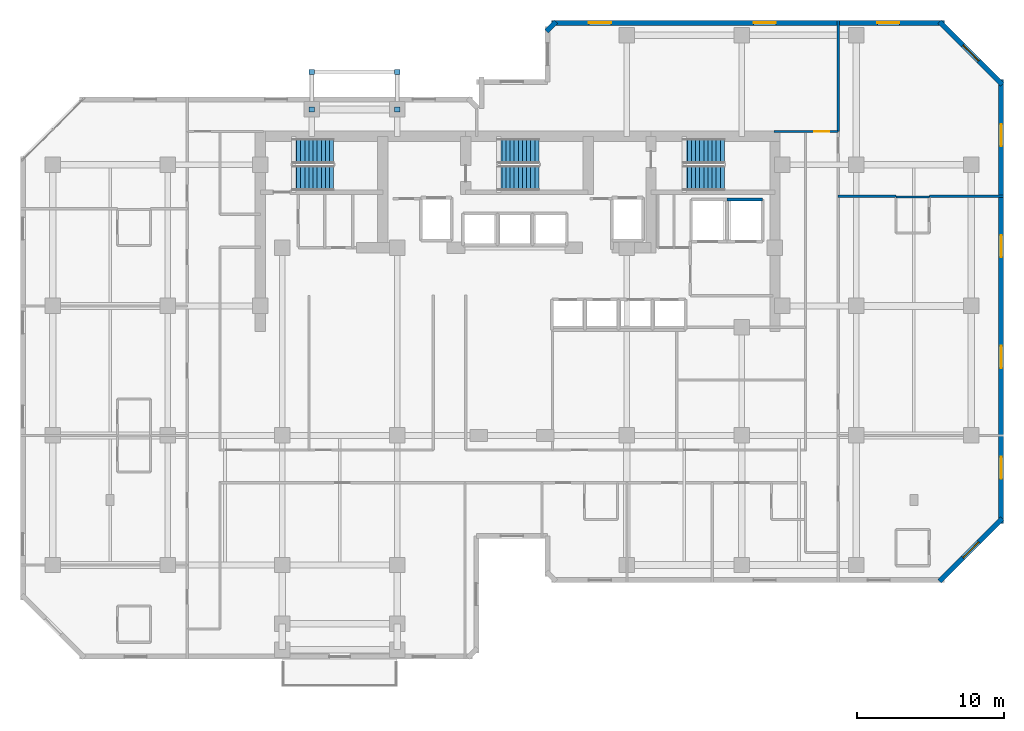
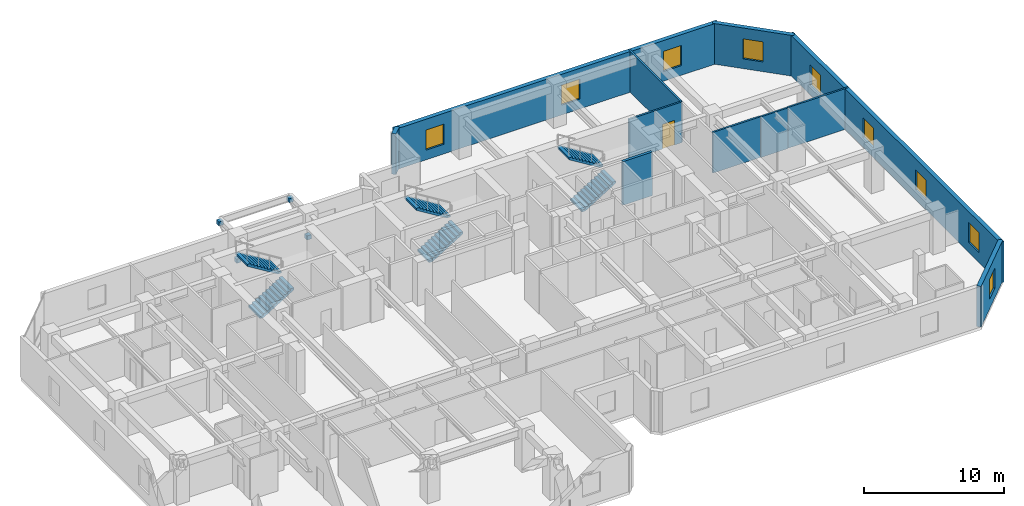
# One storey, part 8 of 10: 11 walls, 9 windows, 6 stair flights, 4 discrete accessories, 1 door, 10 openings, 3 elements without a shape of their own.
"""IFC4 building model written with IfcOpenShell, lengths in metres."""

from ifc_helpers import new_model, si_unit, direction, frame, frame_2d, origin, origin_2d, place, context, subcontext, project, spatial, polyline, rectangle, outline, extrude, material, layer, layer_set, type_object, element, fill, aggregate, save


model = new_model("IFC4")

# Units and contexts
model_context = context("Model", 3, precision=1e-05, world=origin(), true_north=direction((0.0, 1.0)))
body_context = subcontext(model_context, "Body", "Model", "MODEL_VIEW")
ifc_project = project(units=[si_unit("LENGTHUNIT", "METRE"), si_unit("AREAUNIT", "SQUARE_METRE"), si_unit("VOLUMEUNIT", "CUBIC_METRE"), si_unit("PLANEANGLEUNIT", "RADIAN"), si_unit("MASSUNIT", "GRAM", prefix="KILO")], contexts=[model_context])

# Site, building, storey
site_placement = place(None, origin())
site = spatial("IfcSite", under=ifc_project, at=site_placement, CompositionType="ELEMENT")
building_placement = place(site_placement, origin())
building = spatial("IfcBuilding", under=site, at=building_placement, Name="Kestravale Grand Hotel", CompositionType="ELEMENT")
storey_placement = place(building_placement, frame((0.0, 0.0, 138.39990234375)))
storey = spatial("IfcBuildingStorey", under=building, at=storey_placement, Name="L34", CompositionType="ELEMENT", Elevation=138.39990234375)

# Wall, opening, window
ifc_material_1 = material(Name="Precast concrete f'c 45 MPa", Category="concrete")
ifc_layer_1 = layer(ifc_material_1, 0.340087890625)
ifc_layer_set_1 = layer_set([ifc_layer_1], Name="EW-PREC-340")
wall_type_1 = type_object("IfcWallType", Name="EW-PREC-340", PredefinedType="SOLIDWALL", material=ifc_layer_set_1)
wall_1_placement = place(storey_placement, frame((68.051513671875, 10.091796875, 0.0), z_axis=(0.0, 0.0, 1.0), x_axis=(0.707106781187, 0.707106781187, 0.0)))
wall_1 = element("IfcWall", 1, at=wall_1_placement, inside=storey, type_object=wall_type_1, Name="L34 fluted precast facade wall 8", PredefinedType="SOLIDWALL", context=body_context, shape_type="SweptSolid", body=[
    extrude(rectangle(XDim=6.019775390625, YDim=0.340087890625, at=frame_2d((3.009765625, 0.0))), origin(), (0.0, 0.0, 1.0), 3.550048828125),
])
opening_1_placement = place(wall_1_placement, frame((2.260009765625, 0.0, 0.85009765625)))
opening_1 = element("IfcOpeningElement", 2, at=opening_1_placement, cuts=wall_1, Name="Opening W-GUEST-1500", PredefinedType="OPENING", context=body_context, shape_type="SweptSolid", body=[
    extrude(rectangle(XDim=1.5, YDim=1.75, at=frame_2d((0.75, 0.875))), frame((0.0, 0.179931640625, 0.0), z_axis=(0.0, -1.0, 0.0), x_axis=(1.0, 0.0, 0.0)), (0.0, 0.0, 1.0), 0.360107421875),
])
ifc_material_2 = material(Name="Insulated low-E double glazing in aluminium frame", Category="aluminium")
window_type = type_object("IfcWindowType", Name="W-GUEST-1500", PartitioningType="SINGLE_PANEL", PredefinedType="WINDOW", material=ifc_material_2)
window_1_placement = place(opening_1_placement, origin())
window_1 = element("IfcWindow", 3, at=window_1_placement, inside=storey, type_object=window_type, Name="L34 exterior window 8.1", OverallHeight=1.75, OverallWidth=1.5, PartitioningType="SINGLE_PANEL", PredefinedType="WINDOW", context=body_context, shape_type="SweptSolid", body=[
    extrude(rectangle(XDim=1.5, YDim=1.75, at=frame_2d((0.75, 0.875))), frame((0.0, 0.030029296875, 0.0), z_axis=(0.0, -1.0, 0.0), x_axis=(1.0, 0.0, 0.0)), (0.0, 0.0, 1.0), 0.06005859375),
])
fill(opening_1, window_1)

# Wall, openings, windows
wall_2_placement = place(storey_placement, frame((72.22998046875, 14.030029296875, 0.0), z_axis=(0.0, 0.0, 1.0), x_axis=(0.0, 1.0, 0.0)))
wall_2 = element("IfcWall", 4, at=wall_2_placement, inside=storey, type_object=wall_type_1, Name="L34 fluted precast facade wall 9", PredefinedType="SOLIDWALL", context=body_context, shape_type="SweptSolid", body=[
    extrude(rectangle(XDim=30.139892578125, YDim=0.340087890625, at=frame_2d((15.06982421875, 0.0))), origin(), (0.0, 0.0, 1.0), 3.550048828125),
])
opening_2_placement = place(wall_2_placement, frame((3.017578125, 0.0, 0.85009765625)))
opening_2 = element("IfcOpeningElement", 5, at=opening_2_placement, cuts=wall_2, Name="Opening W-GUEST-1500", PredefinedType="OPENING", context=body_context, shape_type="SweptSolid", body=[
    extrude(rectangle(XDim=1.5, YDim=1.75, at=frame_2d((0.75, 0.875))), frame((0.0, 0.179931640625, 0.0), z_axis=(0.0, -1.0, 0.0), x_axis=(1.0, 0.0, 0.0)), (0.0, 0.0, 1.0), 0.360107421875),
])
opening_3_placement = place(wall_2_placement, frame((10.552490234375, 0.0, 0.85009765625)))
opening_3 = element("IfcOpeningElement", 6, at=opening_3_placement, cuts=wall_2, Name="Opening W-GUEST-1500", PredefinedType="OPENING", context=body_context, shape_type="SweptSolid", body=[
    extrude(rectangle(XDim=1.5, YDim=1.75, at=frame_2d((0.75, 0.875))), frame((0.0, 0.179931640625, 0.0), z_axis=(0.0, -1.0, 0.0), x_axis=(1.0, 0.0, 0.0)), (0.0, 0.0, 1.0), 0.360107421875),
])
opening_4_placement = place(wall_2_placement, frame((18.08740234375, 0.0, 0.85009765625)))
opening_4 = element("IfcOpeningElement", 7, at=opening_4_placement, cuts=wall_2, Name="Opening W-GUEST-1500", PredefinedType="OPENING", context=body_context, shape_type="SweptSolid", body=[
    extrude(rectangle(XDim=1.5, YDim=1.75, at=frame_2d((0.75, 0.875))), frame((0.0, 0.179931640625, 0.0), z_axis=(0.0, -1.0, 0.0), x_axis=(1.0, 0.0, 0.0)), (0.0, 0.0, 1.0), 0.360107421875),
])
opening_5_placement = place(wall_2_placement, frame((25.62255859375, 0.0, 0.85009765625)))
opening_5 = element("IfcOpeningElement", 8, at=opening_5_placement, cuts=wall_2, Name="Opening W-GUEST-1500", PredefinedType="OPENING", context=body_context, shape_type="SweptSolid", body=[
    extrude(rectangle(XDim=1.5, YDim=1.75, at=frame_2d((0.75, 0.875))), frame((0.0, 0.179931640625, 0.0), z_axis=(0.0, -1.0, 0.0), x_axis=(1.0, 0.0, 0.0)), (0.0, 0.0, 1.0), 0.360107421875),
])
window_2_placement = place(opening_2_placement, origin())
window_2 = element("IfcWindow", 9, at=window_2_placement, inside=storey, type_object=window_type, Name="L34 exterior window 9.1", OverallHeight=1.75, OverallWidth=1.5, PartitioningType="SINGLE_PANEL", PredefinedType="WINDOW", context=body_context, shape_type="SweptSolid", body=[
    extrude(rectangle(XDim=1.5, YDim=1.75, at=frame_2d((0.75, 0.875))), frame((0.0, 0.030029296875, 0.0), z_axis=(0.0, -1.0, 0.0), x_axis=(1.0, 0.0, 0.0)), (0.0, 0.0, 1.0), 0.06005859375),
])
fill(opening_2, window_2)
window_3_placement = place(opening_3_placement, origin())
window_3 = element("IfcWindow", 10, at=window_3_placement, inside=storey, type_object=window_type, Name="L34 exterior window 9.2", OverallHeight=1.75, OverallWidth=1.5, PartitioningType="SINGLE_PANEL", PredefinedType="WINDOW", context=body_context, shape_type="SweptSolid", body=[
    extrude(rectangle(XDim=1.5, YDim=1.75, at=frame_2d((0.75, 0.875))), frame((0.0, 0.030029296875, 0.0), z_axis=(0.0, -1.0, 0.0), x_axis=(1.0, 0.0, 0.0)), (0.0, 0.0, 1.0), 0.06005859375),
])
fill(opening_3, window_3)
window_4_placement = place(opening_4_placement, origin())
window_4 = element("IfcWindow", 11, at=window_4_placement, inside=storey, type_object=window_type, Name="L34 exterior window 9.3", OverallHeight=1.75, OverallWidth=1.5, PartitioningType="SINGLE_PANEL", PredefinedType="WINDOW", context=body_context, shape_type="SweptSolid", body=[
    extrude(rectangle(XDim=1.5, YDim=1.75, at=frame_2d((0.75, 0.875))), frame((0.0, 0.030029296875, 0.0), z_axis=(0.0, -1.0, 0.0), x_axis=(1.0, 0.0, 0.0)), (0.0, 0.0, 1.0), 0.06005859375),
])
fill(opening_4, window_4)
window_5_placement = place(opening_5_placement, origin())
window_5 = element("IfcWindow", 12, at=window_5_placement, inside=storey, type_object=window_type, Name="L34 exterior window 9.4", OverallHeight=1.75, OverallWidth=1.5, PartitioningType="SINGLE_PANEL", PredefinedType="WINDOW", context=body_context, shape_type="SweptSolid", body=[
    extrude(rectangle(XDim=1.5, YDim=1.75, at=frame_2d((0.75, 0.875))), frame((0.0, 0.030029296875, 0.0), z_axis=(0.0, -1.0, 0.0), x_axis=(1.0, 0.0, 0.0)), (0.0, 0.0, 1.0), 0.06005859375),
])
fill(opening_5, window_5)

# Wall, opening, window
wall_3_placement = place(storey_placement, frame((72.30810546875, 43.8515625, 0.0), z_axis=(0.0, 0.0, 1.0), x_axis=(-0.707106781187, 0.707106781187, 0.0)))
wall_3 = element("IfcWall", 13, at=wall_3_placement, inside=storey, type_object=wall_type_1, Name="L34 fluted precast facade wall 10", PredefinedType="SOLIDWALL", context=body_context, shape_type="SweptSolid", body=[
    extrude(rectangle(XDim=6.019775390625, YDim=0.340087890625, at=frame_2d((3.009765625, 0.0))), origin(), (0.0, 0.0, 1.0), 3.550048828125),
])
opening_6_placement = place(wall_3_placement, frame((2.260009765625, 0.0, 0.85009765625)))
opening_6 = element("IfcOpeningElement", 14, at=opening_6_placement, cuts=wall_3, Name="Opening W-GUEST-1500", PredefinedType="OPENING", context=body_context, shape_type="SweptSolid", body=[
    extrude(rectangle(XDim=1.5, YDim=1.75, at=frame_2d((0.75, 0.875))), frame((0.0, 0.179931640625, 0.0), z_axis=(0.0, -1.0, 0.0), x_axis=(1.0, 0.0, 0.0)), (0.0, 0.0, 1.0), 0.360107421875),
])
window_6_placement = place(opening_6_placement, origin())
window_6 = element("IfcWindow", 15, at=window_6_placement, inside=storey, type_object=window_type, Name="L34 exterior window 10.1", OverallHeight=1.75, OverallWidth=1.5, PartitioningType="SINGLE_PANEL", PredefinedType="WINDOW", context=body_context, shape_type="SweptSolid", body=[
    extrude(rectangle(XDim=1.5, YDim=1.75, at=frame_2d((0.75, 0.875))), frame((0.0, 0.030029296875, 0.0), z_axis=(0.0, -1.0, 0.0), x_axis=(1.0, 0.0, 0.0)), (0.0, 0.0, 1.0), 0.06005859375),
])
fill(opening_6, window_6)

# Wall, openings, windows
wall_4_placement = place(storey_placement, frame((68.3701171875, 48.030029296875, 0.0), z_axis=(0.0, 0.0, 1.0), x_axis=(-1.0, 0.0, 0.0)))
wall_4 = element("IfcWall", 16, at=wall_4_placement, inside=storey, type_object=wall_type_1, Name="L34 fluted precast facade wall 11", PredefinedType="SOLIDWALL", context=body_context, shape_type="SweptSolid", body=[
    extrude(rectangle(XDim=26.690185546875, YDim=0.340087890625, at=frame_2d((13.34521484375, 0.0))), origin(), (0.0, 0.0, 1.0), 3.550048828125),
])
opening_7_placement = place(wall_4_placement, frame((3.04833984375, 0.0, 0.85009765625)))
opening_7 = element("IfcOpeningElement", 17, at=opening_7_placement, cuts=wall_4, Name="Opening W-GUEST-1500", PredefinedType="OPENING", context=body_context, shape_type="SweptSolid", body=[
    extrude(rectangle(XDim=1.5, YDim=1.75, at=frame_2d((0.75, 0.875))), frame((0.0, 0.179931640625, 0.0), z_axis=(0.0, -1.0, 0.0), x_axis=(1.0, 0.0, 0.0)), (0.0, 0.0, 1.0), 0.360107421875),
])
opening_8_placement = place(wall_4_placement, frame((11.445068359375, 0.0, 0.85009765625)))
opening_8 = element("IfcOpeningElement", 18, at=opening_8_placement, cuts=wall_4, Name="Opening W-GUEST-1500", PredefinedType="OPENING", context=body_context, shape_type="SweptSolid", body=[
    extrude(rectangle(XDim=1.5, YDim=1.75, at=frame_2d((0.75, 0.875))), frame((0.0, 0.179931640625, 0.0), z_axis=(0.0, -1.0, 0.0), x_axis=(1.0, 0.0, 0.0)), (0.0, 0.0, 1.0), 0.360107421875),
])
opening_9_placement = place(wall_4_placement, frame((22.6416015625, 0.0, 0.85009765625)))
opening_9 = element("IfcOpeningElement", 19, at=opening_9_placement, cuts=wall_4, Name="Opening W-GUEST-1500", PredefinedType="OPENING", context=body_context, shape_type="SweptSolid", body=[
    extrude(rectangle(XDim=1.5, YDim=1.75, at=frame_2d((0.75, 0.875))), frame((0.0, 0.179931640625, 0.0), z_axis=(0.0, -1.0, 0.0), x_axis=(1.0, 0.0, 0.0)), (0.0, 0.0, 1.0), 0.360107421875),
])
window_7_placement = place(opening_7_placement, origin())
window_7 = element("IfcWindow", 20, at=window_7_placement, inside=storey, type_object=window_type, Name="L34 exterior window 11.1", OverallHeight=1.75, OverallWidth=1.5, PartitioningType="SINGLE_PANEL", PredefinedType="WINDOW", context=body_context, shape_type="SweptSolid", body=[
    extrude(rectangle(XDim=1.5, YDim=1.75, at=frame_2d((0.75, 0.875))), frame((0.0, 0.030029296875, 0.0), z_axis=(0.0, -1.0, 0.0), x_axis=(1.0, 0.0, 0.0)), (0.0, 0.0, 1.0), 0.06005859375),
])
fill(opening_7, window_7)
window_8_placement = place(opening_8_placement, origin())
window_8 = element("IfcWindow", 21, at=window_8_placement, inside=storey, type_object=window_type, Name="L34 exterior window 11.2", OverallHeight=1.75, OverallWidth=1.5, PartitioningType="SINGLE_PANEL", PredefinedType="WINDOW", context=body_context, shape_type="SweptSolid", body=[
    extrude(rectangle(XDim=1.5, YDim=1.75, at=frame_2d((0.75, 0.875))), frame((0.0, 0.030029296875, 0.0), z_axis=(0.0, -1.0, 0.0), x_axis=(1.0, 0.0, 0.0)), (0.0, 0.0, 1.0), 0.06005859375),
])
fill(opening_8, window_8)
window_9_placement = place(opening_9_placement, origin())
window_9 = element("IfcWindow", 22, at=window_9_placement, inside=storey, type_object=window_type, Name="L34 exterior window 11.3", OverallHeight=1.75, OverallWidth=1.5, PartitioningType="SINGLE_PANEL", PredefinedType="WINDOW", context=body_context, shape_type="SweptSolid", body=[
    extrude(rectangle(XDim=1.5, YDim=1.75, at=frame_2d((0.75, 0.875))), frame((0.0, 0.030029296875, 0.0), z_axis=(0.0, -1.0, 0.0), x_axis=(1.0, 0.0, 0.0)), (0.0, 0.0, 1.0), 0.06005859375),
])
fill(opening_9, window_9)

# Walls
wall_5_placement = place(storey_placement, frame((41.99853515625, 48.108154296875, 0.0), z_axis=(0.0, 0.0, 1.0), x_axis=(-0.707106781187, -0.707106781187, 0.0)))
element("IfcWall", 23, at=wall_5_placement, inside=storey, type_object=wall_type_1, Name="L34 fluted precast facade wall 12", PredefinedType="SOLIDWALL", context=body_context, shape_type="SweptSolid", body=[
    extrude(rectangle(XDim=0.9287109375, YDim=0.340087890625, at=frame_2d((0.46435546875, 0.0))), origin(), (0.0, 0.0, 1.0), 3.550048828125),
])
ifc_material_3 = material(Name="Moisture-resistant tile-backer plumbing chase wall", Category="other")
ifc_layer_2 = layer(ifc_material_3, 0.139892578125)
ifc_layer_set_2 = layer_set([ifc_layer_2], Name="IW-PLB-140")
wall_type_2 = type_object("IfcWallType", Name="IW-PLB-140", PredefinedType="PLUMBINGWALL", material=ifc_layer_set_2)
wall_6_placement = place(storey_placement, frame((65.10009765625, 36.2099609375, 0.0), z_axis=(0.0, 0.0, 1.0), x_axis=(1.0, 0.0, 0.0)))
element("IfcWall", 24, at=wall_6_placement, inside=storey, type_object=wall_type_2, Name="W-L34-U08-BN", PredefinedType="PLUMBINGWALL", context=body_context, shape_type="SweptSolid", body=[
    extrude(rectangle(XDim=2.25, YDim=0.139892578125, at=frame_2d((1.125, 0.0))), origin(), (0.0, 0.0, 1.0), 3.550048828125),
])
ifc_material_4 = material(Name="Concrete f'c 45 MPa", Category="concrete")
ifc_layer_3 = layer(ifc_material_4, 0.219970703125)
ifc_layer_set_3 = layer_set([ifc_layer_3], Name="IW-SHAFT-220")
wall_type_3 = type_object("IfcWallType", Name="IW-SHAFT-220", PredefinedType="SHEAR", material=ifc_layer_set_3)
wall_7_placement = place(storey_placement, frame((53.60009765625, 36.030029296875, 0.0), z_axis=(0.0, 0.0, 1.0), x_axis=(1.0, 0.0, 0.0)))
element("IfcWall", 25, at=wall_7_placement, inside=storey, type_object=wall_type_3, Name="L34 SL-2 north shaft wall", PredefinedType="SHEAR", context=body_context, shape_type="SweptSolid", body=[
    extrude(rectangle(XDim=2.419921875, YDim=0.219970703125, at=frame_2d((1.2099609375, 0.0))), origin(), (0.0, 0.0, 1.0), 3.800048828125),
])

# Wall, opening, door
ifc_material_5 = material(Name="Double-stud STC 52 acoustic demising partition", Category="other")
ifc_layer_4 = layer(ifc_material_5, 0.14990234375)
ifc_layer_set_4 = layer_set([ifc_layer_4], Name="IW-UNIT-150")
wall_type_4 = type_object("IfcWallType", Name="IW-UNIT-150", PredefinedType="PARTITIONING", material=ifc_layer_set_4)
wall_8_placement = place(storey_placement, frame((56.800048828125, 40.64990234375, 0.0), z_axis=(0.0, 0.0, 1.0), x_axis=(1.0, 0.0, 0.0)))
wall_8 = element("IfcWall", 26, at=wall_8_placement, inside=storey, type_object=wall_type_4, Name="W-L34-SE-N", PredefinedType="PARTITIONING", context=body_context, shape_type="SweptSolid", body=[
    extrude(rectangle(XDim=4.35986328125, YDim=0.14990234375, at=frame_2d((2.179931640625, 0.0))), origin(), (0.0, 0.0, 1.0), 3.550048828125),
])
opening_10_placement = place(wall_8_placement, frame((2.75, 0.0, 0.0)))
opening_10 = element("IfcOpeningElement", 27, at=opening_10_placement, cuts=wall_8, Name="Opening D-GUEST-1000", PredefinedType="OPENING", context=body_context, shape_type="SweptSolid", body=[
    extrude(rectangle(XDim=1.0, YDim=2.14990234375, at=frame_2d((0.5, 1.074951171875))), frame((0.0, 0.0849609375, 0.0), z_axis=(0.0, -1.0, 0.0), x_axis=(1.0, 0.0, 0.0)), (0.0, 0.0, 1.0), 0.169921875),
])
ifc_material_6 = material(Name="Accessible walnut veneer hotel entrance fire door", Category="wood")
door_type = type_object("IfcDoorType", Name="D-GUEST-1000", OperationType="NOTDEFINED", PredefinedType="DOOR", material=ifc_material_6)
door_placement = place(opening_10_placement, origin())
door = element("IfcDoor", 28, at=door_placement, inside=storey, type_object=door_type, Name="L34 NE Gallery Door", OperationType="SINGLE_SWING_LEFT", OverallHeight=2.14990234375, OverallWidth=1.0, PredefinedType="DOOR", context=body_context, shape_type="SweptSolid", body=[
    extrude(rectangle(XDim=1.0, YDim=2.14990234375, at=frame_2d((0.5, 1.074951171875))), frame((0.0, 0.02490234375, 0.0), z_axis=(0.0, -1.0, 0.0), x_axis=(1.0, 0.0, 0.0)), (0.0, 0.0, 1.0), 0.050048828125),
])
fill(opening_10, door)

# Walls
wall_9_placement = place(storey_placement, frame((61.159912109375, 40.64990234375, 0.0), z_axis=(0.0, 0.0, 1.0), x_axis=(0.0, 1.0, 0.0)))
element("IfcWall", 29, at=wall_9_placement, inside=storey, type_object=wall_type_4, Name="W-L34-NGE-E", PredefinedType="PARTITIONING", context=body_context, shape_type="SweptSolid", body=[
    extrude(rectangle(XDim=7.530029296875, YDim=0.14990234375, at=frame_2d((3.76513671875, 0.0))), origin(), (0.0, 0.0, 1.0), 3.550048828125),
])
wall_10_placement = place(storey_placement, frame((61.159912109375, 36.25, 0.0), z_axis=(0.0, 0.0, 1.0), x_axis=(1.0, 0.0, 0.0)))
element("IfcWall", 30, at=wall_10_placement, inside=storey, type_object=wall_type_4, Name="W-L34-EW-2", PredefinedType="PARTITIONING", context=body_context, shape_type="SweptSolid", body=[
    extrude(rectangle(XDim=3.940185546875, YDim=0.14990234375, at=frame_2d((1.97021484375, 0.0))), origin(), (0.0, 0.0, 1.0), 3.550048828125),
])
wall_11_placement = place(storey_placement, frame((67.35009765625, 36.25, 0.0), z_axis=(0.0, 0.0, 1.0), x_axis=(1.0, 0.0, 0.0)))
element("IfcWall", 31, at=wall_11_placement, inside=storey, type_object=wall_type_4, Name="W-L34-EW-2", PredefinedType="PARTITIONING", context=body_context, shape_type="SweptSolid", body=[
    extrude(rectangle(XDim=5.02978515625, YDim=0.14990234375, at=frame_2d((2.514892578125, 0.0))), origin(), (0.0, 0.0, 1.0), 3.550048828125),
])

# Stair, stair flights
ifc_material_7 = material(Name="Concrete f'c 45 MPa", Category="concrete")
stair_type = type_object("IfcStairType", Name="ST-CORE-380", PredefinedType="HALF_TURN_STAIR", material=ifc_material_7)
stair_1_placement = place(storey_placement, origin())
stair_1 = element("IfcStair", 32, at=stair_1_placement, inside=storey, type_object=stair_type, Name="L34 ST-1", PredefinedType="HALF_TURN_STAIR")
ifc_material_8 = material(Name="Concrete f'c 45 MPa", Category="concrete")
stair_flight_type = type_object("IfcStairFlightType", Name="STF-CORE-380", PredefinedType="STRAIGHT", material=ifc_material_8)
stair_flight_1_placement = place(storey_placement, frame((24.080078125, 37.489990234375, 0.0), z_axis=(0.0, 0.0, 1.0), x_axis=(1.0, 0.0, 0.0)))
stair_flight_1 = element("IfcStairFlight", 33, at=stair_flight_1_placement, type_object=stair_flight_type, Name="ST-1 flight 1", NumberOfRisers=11, NumberOfTreads=10, PredefinedType="STRAIGHT", RiserHeight=0.172727273, TreadLength=0.28, context=body_context, shape_type="SweptSolid", body=[
    extrude(outline(polyline([(0.0, 0.0), (0.0, 0.172607421875), (0.280029296875, 0.172607421875), (0.280029296875, 0.345458984375), (0.56005859375, 0.345458984375), (0.56005859375, 0.51806640625), (0.840087890625, 0.51806640625), (0.840087890625, 0.69091796875), (1.1201171875, 0.69091796875), (1.1201171875, 0.863525390625), (1.39990234375, 0.863525390625), (1.39990234375, 1.036376953125), (1.679931640625, 1.036376953125), (1.679931640625, 1.208984375), (1.9599609375, 1.208984375), (1.9599609375, 1.3818359375), (2.239990234375, 1.3818359375), (2.239990234375, 1.554443359375), (2.52001953125, 1.554443359375), (2.52001953125, 1.727294921875), (2.800048828125, 1.727294921875), (2.800048828125, 1.89990234375), (2.800048828125, 1.551025390625), (0.285400390625, 0.0), (0.0, 0.0)])), frame((0.0, 0.83984375, 0.0), z_axis=(0.0, -1.0, 0.0), x_axis=(1.0, 0.0, 0.0)), (0.0, 0.0, 1.0), 1.679931640625),
])
stair_flight_2_placement = place(storey_placement, frame((26.8798828125, 39.320068359375, 1.900146484375), z_axis=(0.0, 0.0, 1.0), x_axis=(-1.0, 0.0, 0.0)))
stair_flight_2 = element("IfcStairFlight", 34, at=stair_flight_2_placement, type_object=stair_flight_type, Name="ST-1 flight 2", NumberOfRisers=11, NumberOfTreads=10, PredefinedType="STRAIGHT", RiserHeight=0.172727273, TreadLength=0.28, context=body_context, shape_type="SweptSolid", body=[
    extrude(outline(polyline([(0.0, 0.0), (0.0, 0.172607421875), (0.280029296875, 0.172607421875), (0.280029296875, 0.345458984375), (0.56005859375, 0.345458984375), (0.56005859375, 0.51806640625), (0.840087890625, 0.51806640625), (0.840087890625, 0.69091796875), (1.1201171875, 0.69091796875), (1.1201171875, 0.863525390625), (1.39990234375, 0.863525390625), (1.39990234375, 1.036376953125), (1.679931640625, 1.036376953125), (1.679931640625, 1.208984375), (1.9599609375, 1.208984375), (1.9599609375, 1.3818359375), (2.239990234375, 1.3818359375), (2.239990234375, 1.554443359375), (2.52001953125, 1.554443359375), (2.52001953125, 1.727294921875), (2.800048828125, 1.727294921875), (2.800048828125, 1.89990234375), (2.800048828125, 1.551025390625), (0.285400390625, 0.0), (0.0, 0.0)])), frame((0.0, 0.83984375, 0.0), z_axis=(0.0, -1.0, 0.0), x_axis=(1.0, 0.0, 0.0)), (0.0, 0.0, 1.0), 1.679931640625),
])
aggregate(stair_1, [stair_flight_1, stair_flight_2])

stair_2_placement = place(storey_placement, origin())
stair_2 = element("IfcStair", 35, at=stair_2_placement, inside=storey, type_object=stair_type, Name="L34 ST-2", PredefinedType="HALF_TURN_STAIR")
stair_flight_3_placement = place(storey_placement, frame((38.030029296875, 37.489990234375, 0.0), z_axis=(0.0, 0.0, 1.0), x_axis=(1.0, 0.0, 0.0)))
stair_flight_3 = element("IfcStairFlight", 36, at=stair_flight_3_placement, type_object=stair_flight_type, Name="ST-2 flight 1", NumberOfRisers=11, NumberOfTreads=10, PredefinedType="STRAIGHT", RiserHeight=0.172727273, TreadLength=0.28, context=body_context, shape_type="SweptSolid", body=[
    extrude(outline(polyline([(0.0, 0.0), (0.0, 0.172607421875), (0.280029296875, 0.172607421875), (0.280029296875, 0.345458984375), (0.56005859375, 0.345458984375), (0.56005859375, 0.51806640625), (0.840087890625, 0.51806640625), (0.840087890625, 0.69091796875), (1.1201171875, 0.69091796875), (1.1201171875, 0.863525390625), (1.39990234375, 0.863525390625), (1.39990234375, 1.036376953125), (1.679931640625, 1.036376953125), (1.679931640625, 1.208984375), (1.9599609375, 1.208984375), (1.9599609375, 1.3818359375), (2.239990234375, 1.3818359375), (2.239990234375, 1.554443359375), (2.52001953125, 1.554443359375), (2.52001953125, 1.727294921875), (2.800048828125, 1.727294921875), (2.800048828125, 1.89990234375), (2.800048828125, 1.551025390625), (0.285400390625, 0.0), (0.0, 0.0)])), frame((0.0, 0.83984375, 0.0), z_axis=(0.0, -1.0, 0.0), x_axis=(1.0, 0.0, 0.0)), (0.0, 0.0, 1.0), 1.679931640625),
])
stair_flight_4_placement = place(storey_placement, frame((40.830078125, 39.320068359375, 1.900146484375), z_axis=(0.0, 0.0, 1.0), x_axis=(-1.0, 0.0, 0.0)))
stair_flight_4 = element("IfcStairFlight", 37, at=stair_flight_4_placement, type_object=stair_flight_type, Name="ST-2 flight 2", NumberOfRisers=11, NumberOfTreads=10, PredefinedType="STRAIGHT", RiserHeight=0.172727273, TreadLength=0.28, context=body_context, shape_type="SweptSolid", body=[
    extrude(outline(polyline([(0.0, 0.0), (0.0, 0.172607421875), (0.280029296875, 0.172607421875), (0.280029296875, 0.345458984375), (0.56005859375, 0.345458984375), (0.56005859375, 0.51806640625), (0.840087890625, 0.51806640625), (0.840087890625, 0.69091796875), (1.1201171875, 0.69091796875), (1.1201171875, 0.863525390625), (1.39990234375, 0.863525390625), (1.39990234375, 1.036376953125), (1.679931640625, 1.036376953125), (1.679931640625, 1.208984375), (1.9599609375, 1.208984375), (1.9599609375, 1.3818359375), (2.239990234375, 1.3818359375), (2.239990234375, 1.554443359375), (2.52001953125, 1.554443359375), (2.52001953125, 1.727294921875), (2.800048828125, 1.727294921875), (2.800048828125, 1.89990234375), (2.800048828125, 1.551025390625), (0.285400390625, 0.0), (0.0, 0.0)])), frame((0.0, 0.83984375, 0.0), z_axis=(0.0, -1.0, 0.0), x_axis=(1.0, 0.0, 0.0)), (0.0, 0.0, 1.0), 1.679931640625),
])
aggregate(stair_2, [stair_flight_3, stair_flight_4])

stair_3_placement = place(storey_placement, origin())
stair_3 = element("IfcStair", 38, at=stair_3_placement, inside=storey, type_object=stair_type, Name="L34 ST-3", PredefinedType="HALF_TURN_STAIR")
stair_flight_5_placement = place(storey_placement, frame((50.6298828125, 37.489990234375, 0.0), z_axis=(0.0, 0.0, 1.0), x_axis=(1.0, 0.0, 0.0)))
stair_flight_5 = element("IfcStairFlight", 39, at=stair_flight_5_placement, type_object=stair_flight_type, Name="ST-3 flight 1", NumberOfRisers=11, NumberOfTreads=10, PredefinedType="STRAIGHT", RiserHeight=0.172727273, TreadLength=0.28, context=body_context, shape_type="SweptSolid", body=[
    extrude(outline(polyline([(0.0, 0.0), (0.0, 0.172607421875), (0.280029296875, 0.172607421875), (0.280029296875, 0.345458984375), (0.56005859375, 0.345458984375), (0.56005859375, 0.51806640625), (0.840087890625, 0.51806640625), (0.840087890625, 0.69091796875), (1.1201171875, 0.69091796875), (1.1201171875, 0.863525390625), (1.39990234375, 0.863525390625), (1.39990234375, 1.036376953125), (1.679931640625, 1.036376953125), (1.679931640625, 1.208984375), (1.9599609375, 1.208984375), (1.9599609375, 1.3818359375), (2.239990234375, 1.3818359375), (2.239990234375, 1.554443359375), (2.52001953125, 1.554443359375), (2.52001953125, 1.727294921875), (2.800048828125, 1.727294921875), (2.800048828125, 1.89990234375), (2.800048828125, 1.551025390625), (0.285400390625, 0.0), (0.0, 0.0)])), frame((0.0, 0.83984375, 0.0), z_axis=(0.0, -1.0, 0.0), x_axis=(1.0, 0.0, 0.0)), (0.0, 0.0, 1.0), 1.679931640625),
])
stair_flight_6_placement = place(storey_placement, frame((53.429931640625, 39.320068359375, 1.900146484375), z_axis=(0.0, 0.0, 1.0), x_axis=(-1.0, 0.0, 0.0)))
stair_flight_6 = element("IfcStairFlight", 40, at=stair_flight_6_placement, type_object=stair_flight_type, Name="ST-3 flight 2", NumberOfRisers=11, NumberOfTreads=10, PredefinedType="STRAIGHT", RiserHeight=0.172727273, TreadLength=0.28, context=body_context, shape_type="SweptSolid", body=[
    extrude(outline(polyline([(0.0, 0.0), (0.0, 0.172607421875), (0.280029296875, 0.172607421875), (0.280029296875, 0.345458984375), (0.56005859375, 0.345458984375), (0.56005859375, 0.51806640625), (0.840087890625, 0.51806640625), (0.840087890625, 0.69091796875), (1.1201171875, 0.69091796875), (1.1201171875, 0.863525390625), (1.39990234375, 0.863525390625), (1.39990234375, 1.036376953125), (1.679931640625, 1.036376953125), (1.679931640625, 1.208984375), (1.9599609375, 1.208984375), (1.9599609375, 1.3818359375), (2.239990234375, 1.3818359375), (2.239990234375, 1.554443359375), (2.52001953125, 1.554443359375), (2.52001953125, 1.727294921875), (2.800048828125, 1.727294921875), (2.800048828125, 1.89990234375), (2.800048828125, 1.551025390625), (0.285400390625, 0.0), (0.0, 0.0)])), frame((0.0, 0.83984375, 0.0), z_axis=(0.0, -1.0, 0.0), x_axis=(1.0, 0.0, 0.0)), (0.0, 0.0, 1.0), 1.679931640625),
])
aggregate(stair_3, [stair_flight_5, stair_flight_6])

# Discrete accessories
ifc_material_9 = material(Name="Steel ASTM A572 Grade 50 hot-dip galvanised bracket", Category="steel")
discrete_accessory_type = type_object("IfcDiscreteAccessoryType", Name="ACC-BRK-STL", PredefinedType="BRACKET", material=ifc_material_9)
for number, where, z_axis, x_axis, name in (
    (41, (25.39990234375, 42.14990234375, 1.19384765625), (0.0, 0.0, 1.0), (1.0, 0.0, 0.0), "L35 terrace strut column bracket 1"),
    (42, (25.39990234375, 44.699951171875, 2.89404296875), (0.0, 0.0, 1.0), (1.0, 0.0, 0.0), "L35 terrace strut beam bracket 1"),
    (43, (31.199951171875, 42.14990234375, 1.19384765625), (0.0, 0.0, 1.0), (1.0, 0.0, 0.0), "L35 terrace strut column bracket 2"),
    (44, (31.199951171875, 44.699951171875, 2.89404296875), (0.0, 0.0, 1.0), (1.0, 0.0, 0.0), "L35 terrace strut beam bracket 2"),
):
    element("IfcDiscreteAccessory", number, at=place(storey_placement, frame(where, z_axis=z_axis, x_axis=x_axis)), inside=storey, type_object=discrete_accessory_type, Name=name, PredefinedType="BRACKET", context=body_context, shape_type="SweptSolid", body=[
        extrude(rectangle(XDim=0.360107421875, YDim=0.360107421875, at=origin_2d()), origin(), (0.0, 0.0, 1.0), 0.360107421875),
    ])

save(model, "model.ifc")
